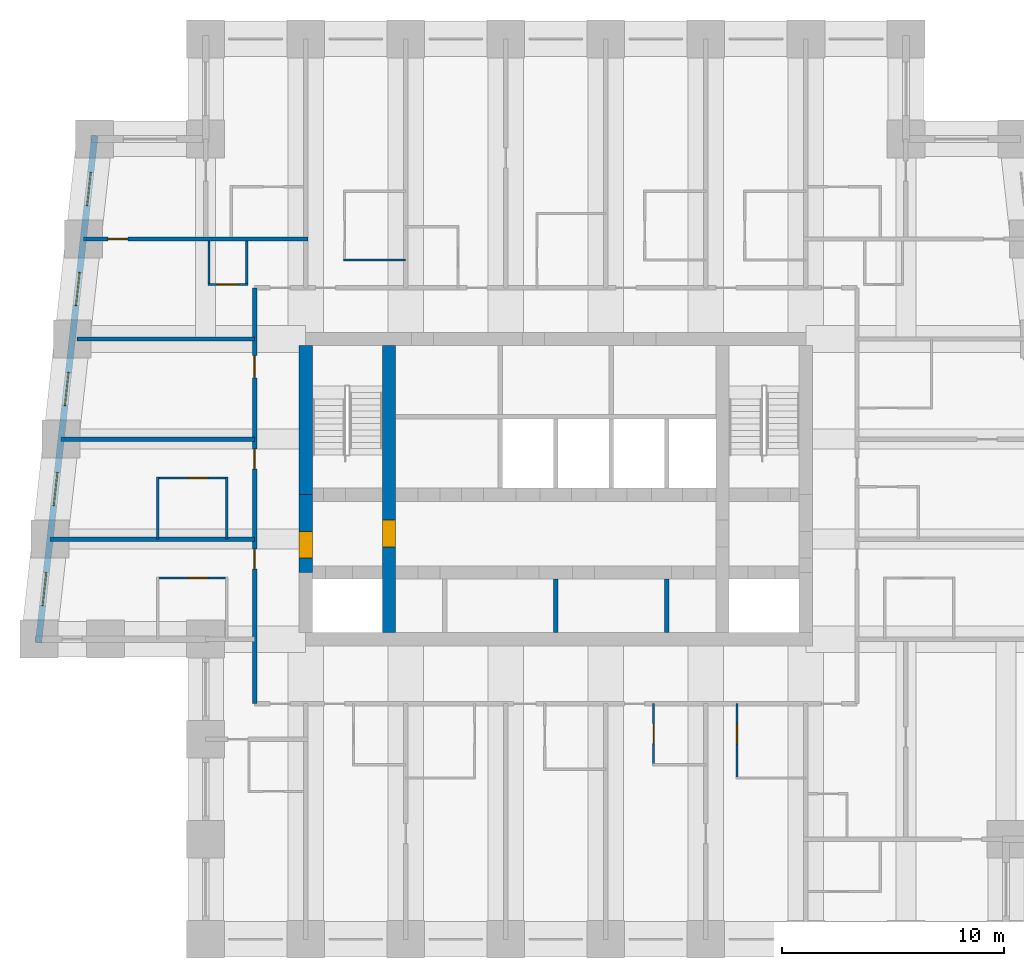
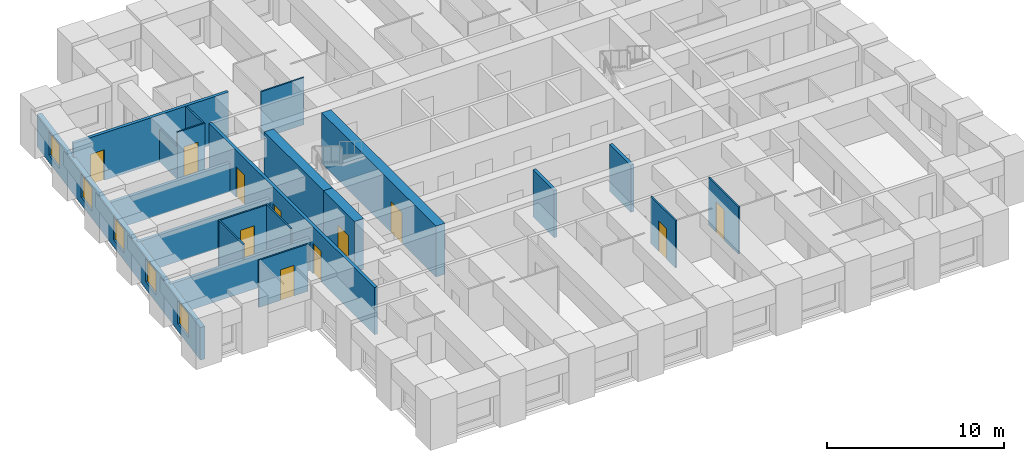
# One storey, part 3 of 8: 21 walls, 11 doors, 5 windows, 16 openings.
"""IFC4 building model written with IfcOpenShell, lengths in metres."""

from ifc_helpers import new_model, si_unit, direction, frame, frame_2d, origin, place, context, subcontext, project, spatial, rectangle, extrude, material, layer, layer_set, type_object, element, fill, save


model = new_model("IFC4")

# Units and contexts
model_context = context("Model", 3, precision=1e-05, world=origin(), true_north=direction((0.0, 1.0)))
body_context = subcontext(model_context, "Body", "Model", "MODEL_VIEW")
ifc_project = project(units=[si_unit("LENGTHUNIT", "METRE"), si_unit("AREAUNIT", "SQUARE_METRE"), si_unit("VOLUMEUNIT", "CUBIC_METRE"), si_unit("PLANEANGLEUNIT", "RADIAN"), si_unit("MASSUNIT", "GRAM", prefix="KILO")], contexts=[model_context])

# Site, building, storey
site_placement = place(None, origin())
site = spatial("IfcSite", under=ifc_project, at=site_placement, CompositionType="ELEMENT")
building_placement = place(site_placement, origin())
building = spatial("IfcBuilding", under=site, at=building_placement, Name="Kilele Tower Hotel", CompositionType="ELEMENT")
storey_placement = place(building_placement, frame((0.0, 0.0, 169.39990234375)))
storey = spatial("IfcBuildingStorey", under=building, at=storey_placement, Name="L43", CompositionType="ELEMENT", Elevation=169.39990234375)

# Wall, opening, door
ifc_material_1 = material(Name="Moisture-resistant board")
ifc_layer_1 = layer(ifc_material_1, 0.10009765625)
ifc_layer_set_1 = layer_set([ifc_layer_1], Name="Moisture-resistant board")
wall_type_1 = type_object("IfcWallType", Name="Bathroom partition 100", PredefinedType="PLUMBINGWALL", material=ifc_layer_set_1)
wall_1_placement = place(storey_placement, frame((29.14990234375, 10.60009765625, 0.0), z_axis=(0.0, 0.0, 1.0), x_axis=(0.0, -1.0, 0.0)))
wall_1 = element("IfcWall", 1, at=wall_1_placement, inside=storey, type_object=wall_type_1, Name="Bathroom partition 100 L43", PredefinedType="PLUMBINGWALL", context=body_context, shape_type="SweptSolid", body=[
    extrude(rectangle(XDim=2.800048828125, YDim=0.10009765625, at=frame_2d((1.39990234375, 0.0))), origin(), (0.0, 0.0, 1.0), 3.25),
])
opening_1_placement = place(wall_1_placement, frame((1.7998046875, 0.0, 0.0), z_axis=(0.0, 0.0, 1.0), x_axis=(-1.0, 0.0, 0.0)))
opening_1 = element("IfcOpeningElement", 2, at=opening_1_placement, cuts=wall_1, Name="Opening D2A", PredefinedType="OPENING", context=body_context, shape_type="SweptSolid", body=[
    extrude(rectangle(XDim=0.89990234375, YDim=2.10009765625, at=frame_2d((0.449951171875, 1.050048828125))), frame((0.0, 0.06005859375, 0.0), z_axis=(0.0, -1.0, 0.0), x_axis=(1.0, 0.0, 0.0)), (0.0, 0.0, 1.0), 0.1201171875),
])
ifc_material_2 = material(Name="Timber door leaf in hardwood frame", Category="wood")
door_type_1 = type_object("IfcDoorType", Name="Bathroom door 900", OperationType="SINGLE_SWING_LEFT", PredefinedType="DOOR", material=ifc_material_2)
door_1_placement = place(opening_1_placement, origin())
door_1 = element("IfcDoor", 3, at=door_1_placement, inside=storey, type_object=door_type_1, Name="Bathroom door 4304B", OperationType="SINGLE_SWING_RIGHT", OverallHeight=2.10009765625, OverallWidth=0.89990234375, PredefinedType="DOOR", context=body_context, shape_type="SweptSolid", body=[
    extrude(rectangle(XDim=0.89990234375, YDim=2.10009765625, at=frame_2d((0.449951171875, 1.050048828125))), frame((0.0, 0.02490234375, 0.0), z_axis=(0.0, -1.0, 0.0), x_axis=(1.0, 0.0, 0.0)), (0.0, 0.0, 1.0), 0.050048828125),
])
fill(opening_1, door_1)

wall_2_placement = place(storey_placement, frame((32.89990234375, 10.60009765625, 0.0), z_axis=(0.0, 0.0, 1.0), x_axis=(0.0, -1.0, 0.0)))
wall_2 = element("IfcWall", 4, at=wall_2_placement, inside=storey, type_object=wall_type_1, Name="Bathroom partition 100 L43", PredefinedType="PLUMBINGWALL", context=body_context, shape_type="SweptSolid", body=[
    extrude(rectangle(XDim=3.400146484375, YDim=0.10009765625, at=frame_2d((1.7001953125, 0.0))), origin(), (0.0, 0.0, 1.0), 3.25),
])
opening_2_placement = place(wall_2_placement, frame((1.7998046875, 0.0, 0.0), z_axis=(0.0, 0.0, 1.0), x_axis=(-1.0, 0.0, 0.0)))
opening_2 = element("IfcOpeningElement", 5, at=opening_2_placement, cuts=wall_2, Name="Opening D2A", PredefinedType="OPENING", context=body_context, shape_type="SweptSolid", body=[
    extrude(rectangle(XDim=0.89990234375, YDim=2.10009765625, at=frame_2d((0.449951171875, 1.050048828125))), frame((0.0, 0.06005859375, 0.0), z_axis=(0.0, -1.0, 0.0), x_axis=(1.0, 0.0, 0.0)), (0.0, 0.0, 1.0), 0.1201171875),
])
door_2_placement = place(opening_2_placement, origin())
door_2 = element("IfcDoor", 6, at=door_2_placement, inside=storey, type_object=door_type_1, Name="Bathroom door 4305B", OperationType="SINGLE_SWING_RIGHT", OverallHeight=2.10009765625, OverallWidth=0.89990234375, PredefinedType="DOOR", context=body_context, shape_type="SweptSolid", body=[
    extrude(rectangle(XDim=0.89990234375, YDim=2.10009765625, at=frame_2d((0.449951171875, 1.050048828125))), frame((0.0, 0.02490234375, 0.0), z_axis=(0.0, -1.0, 0.0), x_axis=(1.0, 0.0, 0.0)), (0.0, 0.0, 1.0), 0.050048828125),
])
fill(opening_2, door_2)

# Wall
wall_3_placement = place(storey_placement, frame((15.199951171875, 30.550048828125, 0.0), z_axis=(0.0, 0.0, 1.0), x_axis=(1.0, 0.0, 0.0)))
element("IfcWall", 7, at=wall_3_placement, inside=storey, type_object=wall_type_1, Name="Bathroom partition 100 L43", PredefinedType="PLUMBINGWALL", context=body_context, shape_type="SweptSolid", body=[
    extrude(rectangle(XDim=2.800048828125, YDim=0.10009765625, at=frame_2d((1.39990234375, 0.0))), origin(), (0.0, 0.0, 1.0), 3.25),
])

# Wall, opening, door
wall_4_placement = place(storey_placement, frame((10.0, 16.25, 0.0), z_axis=(0.0, 0.0, 1.0), x_axis=(-1.0, 0.0, 0.0)))
wall_4 = element("IfcWall", 8, at=wall_4_placement, inside=storey, type_object=wall_type_1, Name="Bathroom partition 100 L43", PredefinedType="PLUMBINGWALL", context=body_context, shape_type="SweptSolid", body=[
    extrude(rectangle(XDim=3.199951171875, YDim=0.10009765625, at=frame_2d((1.60009765625, 0.0))), origin(), (0.0, 0.0, 1.0), 3.25),
])
opening_3_placement = place(wall_4_placement, frame((1.7998046875, 0.0, 0.0), z_axis=(0.0, 0.0, 1.0), x_axis=(-1.0, 0.0, 0.0)))
opening_3 = element("IfcOpeningElement", 9, at=opening_3_placement, cuts=wall_4, Name="Opening D2A", PredefinedType="OPENING", context=body_context, shape_type="SweptSolid", body=[
    extrude(rectangle(XDim=0.89990234375, YDim=2.10009765625, at=frame_2d((0.449951171875, 1.050048828125))), frame((0.0, 0.06005859375, 0.0), z_axis=(0.0, -1.0, 0.0), x_axis=(1.0, 0.0, 0.0)), (0.0, 0.0, 1.0), 0.1201171875),
])
door_3_placement = place(opening_3_placement, origin())
door_3 = element("IfcDoor", 10, at=door_3_placement, inside=storey, type_object=door_type_1, Name="Bathroom door 4314B", OperationType="SINGLE_SWING_RIGHT", OverallHeight=2.10009765625, OverallWidth=0.89990234375, PredefinedType="DOOR", context=body_context, shape_type="SweptSolid", body=[
    extrude(rectangle(XDim=0.89990234375, YDim=2.10009765625, at=frame_2d((0.449951171875, 1.050048828125))), frame((0.0, 0.02490234375, 0.0), z_axis=(0.0, -1.0, 0.0), x_axis=(1.0, 0.0, 0.0)), (0.0, 0.0, 1.0), 0.050048828125),
])
fill(opening_3, door_3)

# Walls
for number, where, z_axis, x_axis, name in (
    (11, (9.949951171875, 18.0, 0.0), (0.0, 0.0, 1.0), (0.0, 1.0, 0.0), "Bathroom partition 100 L43"),
    (12, (6.85009765625, 18.0, 0.0), (0.0, 0.0, 1.0), (0.0, 1.0, 0.0), "Bathroom partition 100 L43"),
):
    element("IfcWall", number, at=place(storey_placement, frame(where, z_axis=z_axis, x_axis=x_axis)), inside=storey, type_object=wall_type_1, Name=name, PredefinedType="PLUMBINGWALL", context=body_context, shape_type="SweptSolid", body=[
        extrude(rectangle(XDim=2.800048828125, YDim=0.10009765625, at=frame_2d((1.39990234375, 0.0))), origin(), (0.0, 0.0, 1.0), 3.25),
    ])

# Wall, opening, door
wall_5_placement = place(storey_placement, frame((10.0, 20.75, 0.0), z_axis=(0.0, 0.0, 1.0), x_axis=(-1.0, 0.0, 0.0)))
wall_5 = element("IfcWall", 13, at=wall_5_placement, inside=storey, type_object=wall_type_1, Name="Bathroom partition 100 L43", PredefinedType="PLUMBINGWALL", context=body_context, shape_type="SweptSolid", body=[
    extrude(rectangle(XDim=3.199951171875, YDim=0.10009765625, at=frame_2d((1.60009765625, 0.0))), origin(), (0.0, 0.0, 1.0), 3.25),
])
opening_4_placement = place(wall_5_placement, frame((1.7998046875, 0.0, 0.0), z_axis=(0.0, 0.0, 1.0), x_axis=(-1.0, 0.0, 0.0)))
opening_4 = element("IfcOpeningElement", 14, at=opening_4_placement, cuts=wall_5, Name="Opening D2A", PredefinedType="OPENING", context=body_context, shape_type="SweptSolid", body=[
    extrude(rectangle(XDim=0.89990234375, YDim=2.10009765625, at=frame_2d((0.449951171875, 1.050048828125))), frame((0.0, 0.06005859375, 0.0), z_axis=(0.0, -1.0, 0.0), x_axis=(1.0, 0.0, 0.0)), (0.0, 0.0, 1.0), 0.1201171875),
])
door_4_placement = place(opening_4_placement, origin())
door_4 = element("IfcDoor", 15, at=door_4_placement, inside=storey, type_object=door_type_1, Name="Bathroom door 4315B", OperationType="SINGLE_SWING_RIGHT", OverallHeight=2.10009765625, OverallWidth=0.89990234375, PredefinedType="DOOR", context=body_context, shape_type="SweptSolid", body=[
    extrude(rectangle(XDim=0.89990234375, YDim=2.10009765625, at=frame_2d((0.449951171875, 1.050048828125))), frame((0.0, 0.02490234375, 0.0), z_axis=(0.0, -1.0, 0.0), x_axis=(1.0, 0.0, 0.0)), (0.0, 0.0, 1.0), 0.050048828125),
])
fill(opening_4, door_4)

# Walls
wall_6_placement = place(storey_placement, frame((9.14990234375, 31.39990234375, 0.0), z_axis=(0.0, 0.0, 1.0), x_axis=(0.0, -1.0, 0.0)))
element("IfcWall", 16, at=wall_6_placement, inside=storey, type_object=wall_type_1, Name="Bathroom partition 100 L43", PredefinedType="PLUMBINGWALL", context=body_context, shape_type="SweptSolid", body=[
    extrude(rectangle(XDim=2.0, YDim=0.10009765625, at=frame_2d((1.0, 0.0))), origin(), (0.0, 0.0, 1.0), 2.25),
])
wall_7_placement = place(storey_placement, frame((10.85009765625, 31.39990234375, 0.0), z_axis=(0.0, 0.0, 1.0), x_axis=(0.0, -1.0, 0.0)))
element("IfcWall", 17, at=wall_7_placement, inside=storey, type_object=wall_type_1, Name="Bathroom partition 100 L43", PredefinedType="PLUMBINGWALL", context=body_context, shape_type="SweptSolid", body=[
    extrude(rectangle(XDim=2.0, YDim=0.10009765625, at=frame_2d((1.0, 0.0))), origin(), (0.0, 0.0, 1.0), 3.25),
])

# Wall, opening, door
wall_8_placement = place(storey_placement, frame((10.89990234375, 29.449951171875, 0.0), z_axis=(0.0, 0.0, 1.0), x_axis=(-1.0, 0.0, 0.0)))
wall_8 = element("IfcWall", 18, at=wall_8_placement, inside=storey, type_object=wall_type_1, Name="Bathroom partition 100 L43", PredefinedType="PLUMBINGWALL", context=body_context, shape_type="SweptSolid", body=[
    extrude(rectangle(XDim=1.7998046875, YDim=0.10009765625, at=frame_2d((0.89990234375, 0.0))), origin(), (0.0, 0.0, 1.0), 3.25),
])
opening_5_placement = place(wall_8_placement, frame((0.449951171875, 0.0, 0.0)))
opening_5 = element("IfcOpeningElement", 19, at=opening_5_placement, cuts=wall_8, Name="Opening D2A", PredefinedType="OPENING", context=body_context, shape_type="SweptSolid", body=[
    extrude(rectangle(XDim=0.89990234375, YDim=2.10009765625, at=frame_2d((0.449951171875, 1.050048828125))), frame((0.0, 0.06005859375, 0.0), z_axis=(0.0, -1.0, 0.0), x_axis=(1.0, 0.0, 0.0)), (0.0, 0.0, 1.0), 0.1201171875),
])
door_5_placement = place(opening_5_placement, origin())
door_5 = element("IfcDoor", 20, at=door_5_placement, inside=storey, type_object=door_type_1, Name="Bathroom door 4325P", OperationType="SINGLE_SWING_LEFT", OverallHeight=2.10009765625, OverallWidth=0.89990234375, PredefinedType="DOOR", context=body_context, shape_type="SweptSolid", body=[
    extrude(rectangle(XDim=0.89990234375, YDim=2.10009765625, at=frame_2d((0.449951171875, 1.050048828125))), frame((0.0, 0.02490234375, 0.0), z_axis=(0.0, -1.0, 0.0), x_axis=(1.0, 0.0, 0.0)), (0.0, 0.0, 1.0), 0.050048828125),
])
fill(opening_5, door_5)

ifc_material_3 = material(Name="Concrete C70/85", Category="concrete")
ifc_layer_2 = layer(ifc_material_3, 0.60009765625)
ifc_layer_set_2 = layer_set([ifc_layer_2], Name="Concrete C70/85")
wall_type_2 = type_object("IfcWallType", Name="Core wall 600 C70/85", PredefinedType="SHEAR", material=ifc_layer_set_2)
wall_9_placement = place(storey_placement, frame((17.25, 13.800048828125, 0.0), z_axis=(0.0, 0.0, 1.0), x_axis=(0.0, 1.0, 0.0)))
wall_9 = element("IfcWall", 21, at=wall_9_placement, inside=storey, type_object=wall_type_2, Name="Core wall IW L43", PredefinedType="SHEAR", context=body_context, shape_type="SweptSolid", body=[
    extrude(rectangle(XDim=12.89990234375, YDim=0.60009765625, at=frame_2d((6.449951171875, 0.0))), origin(), (0.0, 0.0, 1.0), 3.5),
])
opening_6_placement = place(wall_9_placement, frame((3.85009765625, 0.0, 0.0)))
opening_6 = element("IfcOpeningElement", 22, at=opening_6_placement, cuts=wall_9, Name="Opening D4", PredefinedType="OPENING", context=body_context, shape_type="SweptSolid", body=[
    extrude(rectangle(XDim=1.199951171875, YDim=2.10009765625, at=frame_2d((0.60009765625, 1.050048828125))), frame((0.0, 0.31005859375, 0.0), z_axis=(0.0, -1.0, 0.0), x_axis=(1.0, 0.0, 0.0)), (0.0, 0.0, 1.0), 0.6201171875),
])
ifc_material_4 = material(Name="Timber door leaf in hardwood frame", Category="wood")
door_type_2 = type_object("IfcDoorType", Name="Firefighting lobby door 1200", OperationType="SINGLE_SWING_LEFT", PredefinedType="DOOR", material=ifc_material_4)
door_6_placement = place(opening_6_placement, origin())
door_6 = element("IfcDoor", 23, at=door_6_placement, inside=storey, type_object=door_type_2, Name="Lobby door L43", OperationType="SINGLE_SWING_LEFT", OverallHeight=2.10009765625, OverallWidth=1.199951171875, PredefinedType="DOOR", context=body_context, shape_type="SweptSolid", body=[
    extrude(rectangle(XDim=1.199951171875, YDim=2.10009765625, at=frame_2d((0.60009765625, 1.050048828125))), frame((0.0, 0.2998046875, 0.0), z_axis=(0.0, -1.0, 0.0), x_axis=(1.0, 0.0, 0.0)), (0.0, 0.0, 1.0), 0.599609375),
])
fill(opening_6, door_6)

# Wall
wall_10_placement = place(storey_placement, frame((13.5, 26.699951171875, 0.0), z_axis=(0.0, 0.0, 1.0), x_axis=(0.0, -1.0, 0.0)))
element("IfcWall", 24, at=wall_10_placement, inside=storey, type_object=wall_type_2, Name="Core wall W1 L43", PredefinedType="SHEAR", context=body_context, shape_type="SweptSolid", body=[
    extrude(rectangle(XDim=6.699951171875, YDim=0.60009765625, at=frame_2d((3.35009765625, 0.0))), origin(), (0.0, 0.0, 1.0), 3.5),
])

# Wall, opening, door
wall_11_placement = place(storey_placement, frame((13.5, 20.0, 0.0), z_axis=(0.0, 0.0, 1.0), x_axis=(0.0, -1.0, 0.0)))
wall_11 = element("IfcWall", 25, at=wall_11_placement, inside=storey, type_object=wall_type_2, Name="Core wall W2 L43", PredefinedType="SHEAR", context=body_context, shape_type="SweptSolid", body=[
    extrude(rectangle(XDim=3.5, YDim=0.60009765625, at=frame_2d((1.75, 0.0))), origin(), (0.0, 0.0, 1.0), 3.5),
])
opening_7_placement = place(wall_11_placement, frame((1.64990234375, 0.0, 0.0)))
opening_7 = element("IfcOpeningElement", 26, at=opening_7_placement, cuts=wall_11, Name="Opening D4", PredefinedType="OPENING", context=body_context, shape_type="SweptSolid", body=[
    extrude(rectangle(XDim=1.199951171875, YDim=2.10009765625, at=frame_2d((0.60009765625, 1.050048828125))), frame((0.0, 0.31005859375, 0.0), z_axis=(0.0, -1.0, 0.0), x_axis=(1.0, 0.0, 0.0)), (0.0, 0.0, 1.0), 0.6201171875),
])
door_7_placement = place(opening_7_placement, origin())
door_7 = element("IfcDoor", 27, at=door_7_placement, inside=storey, type_object=door_type_2, Name="Lobby door L43", OperationType="SINGLE_SWING_RIGHT", OverallHeight=2.10009765625, OverallWidth=1.199951171875, PredefinedType="DOOR", context=body_context, shape_type="SweptSolid", body=[
    extrude(rectangle(XDim=1.199951171875, YDim=2.10009765625, at=frame_2d((0.60009765625, 1.050048828125))), frame((0.0, 0.2998046875, 0.0), z_axis=(0.0, -1.0, 0.0), x_axis=(1.0, 0.0, 0.0)), (0.0, 0.0, 1.0), 0.599609375),
])
fill(opening_7, door_7)

# Wall, openings, doors
ifc_material_5 = material(Name="Blockwork, plastered both sides", Category="masonry")
ifc_layer_3 = layer(ifc_material_5, 0.199951171875)
ifc_layer_set_3 = layer_set([ifc_layer_3], Name="Blockwork, plastered both sides")
wall_type_3 = type_object("IfcWallType", Name="Corridor wall 200", PredefinedType="PARTITIONING", material=ifc_layer_set_3)
wall_12_placement = place(storey_placement, frame((11.199951171875, 10.60009765625, 0.0), z_axis=(0.0, 0.0, 1.0), x_axis=(0.0, 1.0, 0.0)))
wall_12 = element("IfcWall", 28, at=wall_12_placement, inside=storey, type_object=wall_type_3, Name="Corridor wall 200 L43", PredefinedType="PARTITIONING", context=body_context, shape_type="SweptSolid", body=[
    extrude(rectangle(XDim=18.699951171875, YDim=0.199951171875, at=frame_2d((9.35009765625, 0.0))), origin(), (0.0, 0.0, 1.0), 3.25),
])
opening_8_placement = place(wall_12_placement, frame((6.050048828125, 0.0, 0.0)))
opening_8 = element("IfcOpeningElement", 29, at=opening_8_placement, cuts=wall_12, Name="Opening D1", PredefinedType="OPENING", context=body_context, shape_type="SweptSolid", body=[
    extrude(rectangle(XDim=0.89990234375, YDim=2.10009765625, at=frame_2d((0.449951171875, 1.050048828125))), frame((0.0, 0.10986328125, 0.0), z_axis=(0.0, -1.0, 0.0), x_axis=(1.0, 0.0, 0.0)), (0.0, 0.0, 1.0), 0.219970703125),
])
opening_9_placement = place(wall_12_placement, frame((10.550048828125, 0.0, 0.0)))
opening_9 = element("IfcOpeningElement", 30, at=opening_9_placement, cuts=wall_12, Name="Opening D1", PredefinedType="OPENING", context=body_context, shape_type="SweptSolid", body=[
    extrude(rectangle(XDim=0.89990234375, YDim=2.10009765625, at=frame_2d((0.449951171875, 1.050048828125))), frame((0.0, 0.10986328125, 0.0), z_axis=(0.0, -1.0, 0.0), x_axis=(1.0, 0.0, 0.0)), (0.0, 0.0, 1.0), 0.219970703125),
])
opening_10_placement = place(wall_12_placement, frame((14.64990234375, 0.0, 0.0)))
opening_10 = element("IfcOpeningElement", 31, at=opening_10_placement, cuts=wall_12, Name="Opening D8", PredefinedType="OPENING", context=body_context, shape_type="SweptSolid", body=[
    extrude(rectangle(XDim=1.0, YDim=2.10009765625, at=frame_2d((0.5, 1.050048828125))), frame((0.0, 0.10986328125, 0.0), z_axis=(0.0, -1.0, 0.0), x_axis=(1.0, 0.0, 0.0)), (0.0, 0.0, 1.0), 0.219970703125),
])
ifc_material_6 = material(Name="Timber door leaf in hardwood frame", Category="wood")
door_type_3 = type_object("IfcDoorType", Name="Door 1000", OperationType="SINGLE_SWING_LEFT", PredefinedType="DOOR", material=ifc_material_6)
door_8_placement = place(opening_10_placement, origin())
door_8 = element("IfcDoor", 32, at=door_8_placement, inside=storey, type_object=door_type_3, Name="Room entrance 4316", OperationType="SINGLE_SWING_RIGHT", OverallHeight=2.10009765625, OverallWidth=1.0, PredefinedType="DOOR", context=body_context, shape_type="SweptSolid", body=[
    extrude(rectangle(XDim=1.0, YDim=2.10009765625, at=frame_2d((0.5, 1.050048828125))), frame((0.0, 0.02490234375, 0.0), z_axis=(0.0, -1.0, 0.0), x_axis=(1.0, 0.0, 0.0)), (0.0, 0.0, 1.0), 0.050048828125),
])
fill(opening_10, door_8)
ifc_material_7 = material(Name="Timber door leaf in hardwood frame", Category="wood")
door_type_4 = type_object("IfcDoorType", Name="Guest room entrance door 900", OperationType="SINGLE_SWING_LEFT", PredefinedType="DOOR", material=ifc_material_7)
door_9_placement = place(opening_8_placement, origin())
door_9 = element("IfcDoor", 33, at=door_9_placement, inside=storey, type_object=door_type_4, Name="Room entrance 4314", OperationType="SINGLE_SWING_RIGHT", OverallHeight=2.10009765625, OverallWidth=0.89990234375, PredefinedType="DOOR", context=body_context, shape_type="SweptSolid", body=[
    extrude(rectangle(XDim=0.89990234375, YDim=2.10009765625, at=frame_2d((0.449951171875, 1.050048828125))), frame((0.0, 0.02490234375, 0.0), z_axis=(0.0, -1.0, 0.0), x_axis=(1.0, 0.0, 0.0)), (0.0, 0.0, 1.0), 0.050048828125),
])
fill(opening_8, door_9)
door_10_placement = place(opening_9_placement, origin())
door_10 = element("IfcDoor", 34, at=door_10_placement, inside=storey, type_object=door_type_4, Name="Room entrance 4315", OperationType="SINGLE_SWING_RIGHT", OverallHeight=2.10009765625, OverallWidth=0.89990234375, PredefinedType="DOOR", context=body_context, shape_type="SweptSolid", body=[
    extrude(rectangle(XDim=0.89990234375, YDim=2.10009765625, at=frame_2d((0.449951171875, 1.050048828125))), frame((0.0, 0.02490234375, 0.0), z_axis=(0.0, -1.0, 0.0), x_axis=(1.0, 0.0, 0.0)), (0.0, 0.0, 1.0), 0.050048828125),
])
fill(opening_9, door_10)

# Walls
ifc_material_8 = material(Name="Blockwork, plastered both sides", Category="masonry")
ifc_layer_4 = layer(ifc_material_8, 0.199951171875)
ifc_layer_set_4 = layer_set([ifc_layer_4], Name="Blockwork, plastered both sides")
wall_type_4 = type_object("IfcWallType", Name="Party wall 200", PredefinedType="PARTITIONING", material=ifc_layer_set_4)
wall_13_placement = place(storey_placement, frame((11.199951171875, 18.0, 0.0), z_axis=(0.0, 0.0, 1.0), x_axis=(-1.0, 0.0, 0.0)))
element("IfcWall", 35, at=wall_13_placement, inside=storey, type_object=wall_type_4, Name="Party wall 200 L43", PredefinedType="PARTITIONING", context=body_context, shape_type="SweptSolid", body=[
    extrude(rectangle(XDim=9.198974609375, YDim=0.199951171875, at=frame_2d((4.599609375, 0.0))), origin(), (0.0, 0.0, 1.0), 2.25),
])
wall_14_placement = place(storey_placement, frame((11.199951171875, 22.5, 0.0), z_axis=(0.0, 0.0, 1.0), x_axis=(-1.0, 0.0, 0.0)))
element("IfcWall", 36, at=wall_14_placement, inside=storey, type_object=wall_type_4, Name="Party wall 200 L43", PredefinedType="PARTITIONING", context=body_context, shape_type="SweptSolid", body=[
    extrude(rectangle(XDim=8.698974609375, YDim=0.199951171875, at=frame_2d((4.349609375, 0.0))), origin(), (0.0, 0.0, 1.0), 2.25),
])
wall_15_placement = place(storey_placement, frame((11.199951171875, 27.0, 0.0), z_axis=(0.0, 0.0, 1.0), x_axis=(-1.0, 0.0, 0.0)))
element("IfcWall", 37, at=wall_15_placement, inside=storey, type_object=wall_type_4, Name="Party wall 200 L43", PredefinedType="PARTITIONING", context=body_context, shape_type="SweptSolid", body=[
    extrude(rectangle(XDim=7.976806640625, YDim=0.199951171875, at=frame_2d((3.98828125, 0.0))), origin(), (0.0, 0.0, 1.0), 1.9501953125),
])

# Wall, opening, door
wall_16_placement = place(storey_placement, frame((13.60009765625, 31.5, 0.0), z_axis=(0.0, 0.0, 1.0), x_axis=(-1.0, 0.0, 0.0)))
wall_16 = element("IfcWall", 38, at=wall_16_placement, inside=storey, type_object=wall_type_4, Name="Party wall 200 L43", PredefinedType="PARTITIONING", context=body_context, shape_type="SweptSolid", body=[
    extrude(rectangle(XDim=10.09912109375, YDim=0.199951171875, at=frame_2d((5.049560546875, 0.0))), origin(), (0.0, 0.0, 1.0), 3.25),
])
opening_11_placement = place(wall_16_placement, frame((8.9990234375, 0.0, 0.0), z_axis=(0.0, 0.0, 1.0), x_axis=(-1.0, 0.0, 0.0)))
opening_11 = element("IfcOpeningElement", 39, at=opening_11_placement, cuts=wall_16, Name="Opening D3", PredefinedType="OPENING", context=body_context, shape_type="SweptSolid", body=[
    extrude(rectangle(XDim=0.89990234375, YDim=2.10009765625, at=frame_2d((0.449951171875, 1.050048828125))), frame((0.0, 0.10986328125, 0.0), z_axis=(0.0, -1.0, 0.0), x_axis=(1.0, 0.0, 0.0)), (0.0, 0.0, 1.0), 0.219970703125),
])
ifc_material_9 = material(Name="Timber door leaf in hardwood frame", Category="wood")
door_type_5 = type_object("IfcDoorType", Name="Suite internal door 900", OperationType="SINGLE_SWING_LEFT", PredefinedType="DOOR", material=ifc_material_9)
door_11_placement = place(opening_11_placement, origin())
door_11 = element("IfcDoor", 40, at=door_11_placement, inside=storey, type_object=door_type_5, Name="Suite door 4326", OperationType="SINGLE_SWING_LEFT", OverallHeight=2.10009765625, OverallWidth=0.89990234375, PredefinedType="DOOR", context=body_context, shape_type="SweptSolid", body=[
    extrude(rectangle(XDim=0.89990234375, YDim=2.10009765625, at=frame_2d((0.449951171875, 1.050048828125))), frame((0.0, 0.02490234375, 0.0), z_axis=(0.0, -1.0, 0.0), x_axis=(1.0, 0.0, 0.0)), (0.0, 0.0, 1.0), 0.050048828125),
])
fill(opening_11, door_11)

# Wall, openings, windows
ifc_material_10 = material(Name="Concrete C40/50 precast", Category="concrete")
ifc_layer_5 = layer(ifc_material_10, 0.260009765625, Name="Precast backing", Category="LoadBearing")
ifc_material_11 = material(Name="Reconstituted stone finish", Category="masonry")
ifc_layer_6 = layer(ifc_material_11, 0.0400390625, Name="Face mix", Category="Finish")
ifc_layer_set_5 = layer_set([ifc_layer_5, ifc_layer_6], Name="Precast concrete C40/50, reconstituted stone finish")
wall_type_5 = type_object("IfcWallType", Name="Precast stone facade wall 300", PredefinedType="STANDARD", material=ifc_layer_set_5)
wall_17_placement = place(storey_placement, frame((4.0166015625, 36.149169921875, 0.0), z_axis=(0.0, 0.0, 1.0), x_axis=(-0.110433862387, -0.993883475081, 0.0)))
wall_17 = element("IfcWall", 41, at=wall_17_placement, inside=storey, type_object=wall_type_5, Name="Facade wall L43 edge 12", PredefinedType="STANDARD", context=body_context, shape_type="SweptSolid", body=[
    extrude(rectangle(XDim=22.938720703125, YDim=0.300048828125, at=frame_2d((11.46923828125, 0.0))), origin(), (0.0, 0.0, 1.0), 2.25),
])
opening_12_placement = place(wall_17_placement, frame((1.6640625, 0.0, 0.5)))
opening_12 = element("IfcOpeningElement", 42, at=opening_12_placement, cuts=wall_17, Name="Opening W3", PredefinedType="OPENING", context=body_context, shape_type="SweptSolid", body=[
    extrude(rectangle(XDim=1.5, YDim=1.60009765625, at=frame_2d((0.75, 0.800048828125))), frame((0.0, 0.159912109375, 0.0), z_axis=(0.0, -1.0, 0.0), x_axis=(1.0, 0.0, 0.0)), (0.0, 0.0, 1.0), 0.320068359375),
])
opening_13_placement = place(wall_17_placement, frame((6.19189453125, 0.0, 0.5)))
opening_13 = element("IfcOpeningElement", 43, at=opening_13_placement, cuts=wall_17, Name="Opening W3", PredefinedType="OPENING", context=body_context, shape_type="SweptSolid", body=[
    extrude(rectangle(XDim=1.5, YDim=1.60009765625, at=frame_2d((0.75, 0.800048828125))), frame((0.0, 0.159912109375, 0.0), z_axis=(0.0, -1.0, 0.0), x_axis=(1.0, 0.0, 0.0)), (0.0, 0.0, 1.0), 0.320068359375),
])
opening_14_placement = place(wall_17_placement, frame((10.718994140625, 0.0, 0.5)))
opening_14 = element("IfcOpeningElement", 44, at=opening_14_placement, cuts=wall_17, Name="Opening W3", PredefinedType="OPENING", context=body_context, shape_type="SweptSolid", body=[
    extrude(rectangle(XDim=1.5, YDim=1.60009765625, at=frame_2d((0.75, 0.800048828125))), frame((0.0, 0.159912109375, 0.0), z_axis=(0.0, -1.0, 0.0), x_axis=(1.0, 0.0, 0.0)), (0.0, 0.0, 1.0), 0.320068359375),
])
opening_15_placement = place(wall_17_placement, frame((15.2470703125, 0.0, 0.5)))
opening_15 = element("IfcOpeningElement", 45, at=opening_15_placement, cuts=wall_17, Name="Opening W3", PredefinedType="OPENING", context=body_context, shape_type="SweptSolid", body=[
    extrude(rectangle(XDim=1.5, YDim=1.60009765625, at=frame_2d((0.75, 0.800048828125))), frame((0.0, 0.159912109375, 0.0), z_axis=(0.0, -1.0, 0.0), x_axis=(1.0, 0.0, 0.0)), (0.0, 0.0, 1.0), 0.320068359375),
])
opening_16_placement = place(wall_17_placement, frame((19.77490234375, 0.0, 0.5)))
opening_16 = element("IfcOpeningElement", 46, at=opening_16_placement, cuts=wall_17, Name="Opening W3", PredefinedType="OPENING", context=body_context, shape_type="SweptSolid", body=[
    extrude(rectangle(XDim=1.5, YDim=1.60009765625, at=frame_2d((0.75, 0.800048828125))), frame((0.0, 0.159912109375, 0.0), z_axis=(0.0, -1.0, 0.0), x_axis=(1.0, 0.0, 0.0)), (0.0, 0.0, 1.0), 0.320068359375),
])
ifc_material_12 = material(Name="Aluminium frame, clear double glazing", Category="aluminium")
window_type = type_object("IfcWindowType", Name="Window W3 1500 x 1600", PartitioningType="SINGLE_PANEL", PredefinedType="WINDOW", material=ifc_material_12)
window_1_placement = place(opening_12_placement, origin())
window_1 = element("IfcWindow", 47, at=window_1_placement, inside=storey, type_object=window_type, Name="Window L43", OverallHeight=1.60009765625, OverallWidth=1.5, PartitioningType="SINGLE_PANEL", PredefinedType="WINDOW", context=body_context, shape_type="SweptSolid", body=[
    extrude(rectangle(XDim=1.5, YDim=1.60009765625, at=frame_2d((0.75, 0.800048828125))), frame((0.0, 0.030029296875, 0.0), z_axis=(0.0, -1.0, 0.0), x_axis=(1.0, 0.0, 0.0)), (0.0, 0.0, 1.0), 0.06005859375),
])
fill(opening_12, window_1)
window_2_placement = place(opening_13_placement, origin())
window_2 = element("IfcWindow", 48, at=window_2_placement, inside=storey, type_object=window_type, Name="Window L43", OverallHeight=1.60009765625, OverallWidth=1.5, PartitioningType="SINGLE_PANEL", PredefinedType="WINDOW", context=body_context, shape_type="SweptSolid", body=[
    extrude(rectangle(XDim=1.5, YDim=1.60009765625, at=frame_2d((0.75, 0.800048828125))), frame((0.0, 0.030029296875, 0.0), z_axis=(0.0, -1.0, 0.0), x_axis=(1.0, 0.0, 0.0)), (0.0, 0.0, 1.0), 0.06005859375),
])
fill(opening_13, window_2)
window_3_placement = place(opening_14_placement, origin())
window_3 = element("IfcWindow", 49, at=window_3_placement, inside=storey, type_object=window_type, Name="Window L43", OverallHeight=1.60009765625, OverallWidth=1.5, PartitioningType="SINGLE_PANEL", PredefinedType="WINDOW", context=body_context, shape_type="SweptSolid", body=[
    extrude(rectangle(XDim=1.5, YDim=1.60009765625, at=frame_2d((0.75, 0.800048828125))), frame((0.0, 0.030029296875, 0.0), z_axis=(0.0, -1.0, 0.0), x_axis=(1.0, 0.0, 0.0)), (0.0, 0.0, 1.0), 0.06005859375),
])
fill(opening_14, window_3)
window_4_placement = place(opening_15_placement, origin())
window_4 = element("IfcWindow", 50, at=window_4_placement, inside=storey, type_object=window_type, Name="Window L43", OverallHeight=1.60009765625, OverallWidth=1.5, PartitioningType="SINGLE_PANEL", PredefinedType="WINDOW", context=body_context, shape_type="SweptSolid", body=[
    extrude(rectangle(XDim=1.5, YDim=1.60009765625, at=frame_2d((0.75, 0.800048828125))), frame((0.0, 0.030029296875, 0.0), z_axis=(0.0, -1.0, 0.0), x_axis=(1.0, 0.0, 0.0)), (0.0, 0.0, 1.0), 0.06005859375),
])
fill(opening_15, window_4)
window_5_placement = place(opening_16_placement, origin())
window_5 = element("IfcWindow", 51, at=window_5_placement, inside=storey, type_object=window_type, Name="Window L43", OverallHeight=1.60009765625, OverallWidth=1.5, PartitioningType="SINGLE_PANEL", PredefinedType="WINDOW", context=body_context, shape_type="SweptSolid", body=[
    extrude(rectangle(XDim=1.5, YDim=1.60009765625, at=frame_2d((0.75, 0.800048828125))), frame((0.0, 0.030029296875, 0.0), z_axis=(0.0, -1.0, 0.0), x_axis=(1.0, 0.0, 0.0)), (0.0, 0.0, 1.0), 0.06005859375),
])
fill(opening_16, window_5)

# Walls
ifc_material_13 = material(Name="Blockwork, fire-rated", Category="masonry")
ifc_layer_7 = layer(ifc_material_13, 0.199951171875)
ifc_layer_set_6 = layer_set([ifc_layer_7], Name="Blockwork, fire-rated")
wall_type_6 = type_object("IfcWallType", Name="Shaft wall 200", PredefinedType="PARTITIONING", material=ifc_layer_set_6)
for number, where, z_axis, x_axis, name in (
    (52, (24.75, 13.800048828125, 0.0), (0.0, 0.0, 1.0), (0.0, 1.0, 0.0), "Shaft wall 200 L43"),
    (53, (29.75, 13.800048828125, 0.0), (0.0, 0.0, 1.0), (0.0, 1.0, 0.0), "Shaft wall 200 L43"),
):
    element("IfcWall", number, at=place(storey_placement, frame(where, z_axis=z_axis, x_axis=x_axis)), inside=storey, type_object=wall_type_6, Name=name, PredefinedType="PARTITIONING", context=body_context, shape_type="SweptSolid", body=[
        extrude(rectangle(XDim=2.39990234375, YDim=0.199951171875, at=frame_2d((1.199951171875, 0.0))), origin(), (0.0, 0.0, 1.0), 3.25),
    ])

save(model, "model.ifc")
